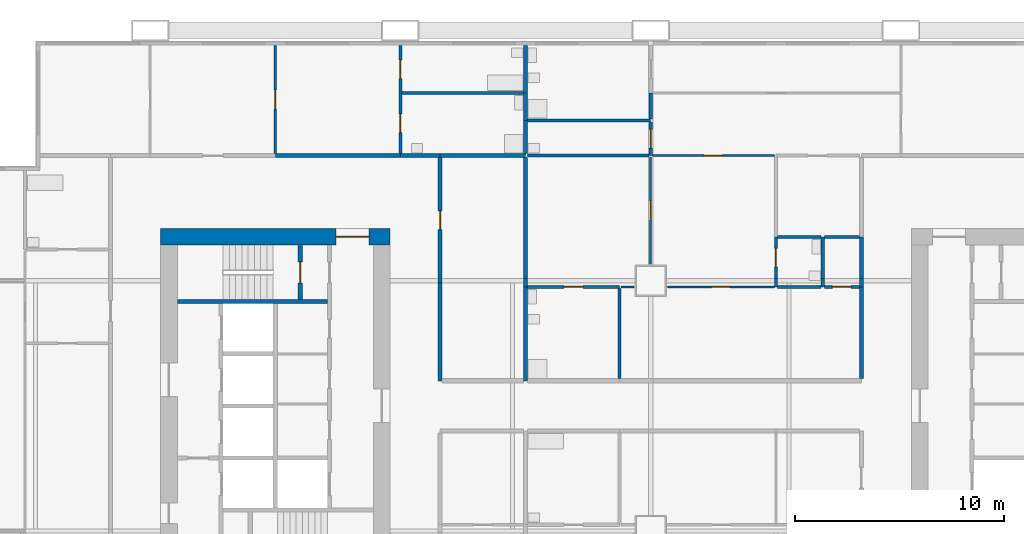
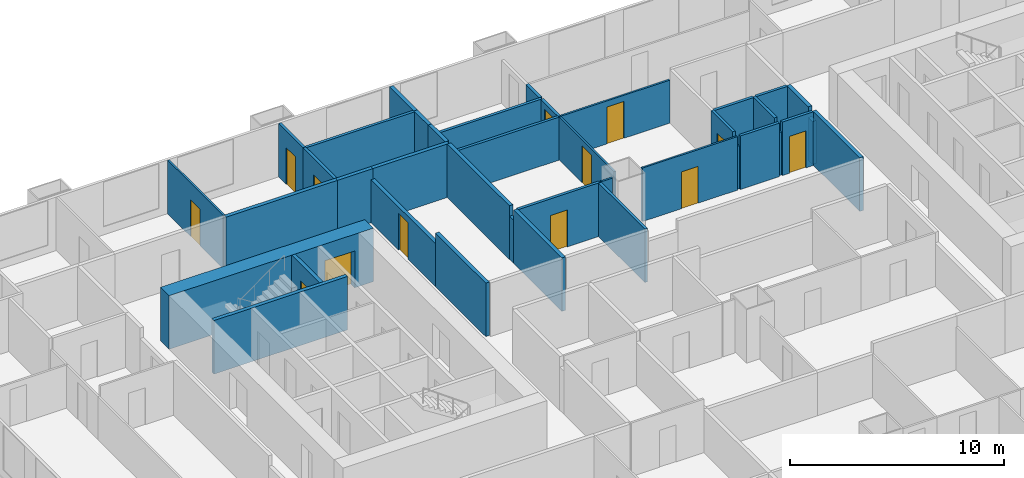
# One storey, part 8 of 13: 39 walls, 13 doors, 13 openings.
"""IFC4 building model written with IfcOpenShell, lengths in metres."""

from ifc_helpers import new_model, si_unit, direction, frame, frame_2d, origin, place, context, subcontext, project, spatial, rectangle, extrude, material, layer, layer_set, type_object, element, fill, save


model = new_model("IFC4")

# Units and contexts
model_context = context("Model", 3, precision=1e-05, world=origin(), true_north=direction((0.0, 1.0)))
body_context = subcontext(model_context, "Body", "Model", "MODEL_VIEW")
ifc_project = project(units=[si_unit("LENGTHUNIT", "METRE"), si_unit("AREAUNIT", "SQUARE_METRE"), si_unit("VOLUMEUNIT", "CUBIC_METRE"), si_unit("PLANEANGLEUNIT", "RADIAN"), si_unit("MASSUNIT", "GRAM", prefix="KILO")], contexts=[model_context])

# Site, building, storey
site_placement = place(None, origin())
site = spatial("IfcSite", under=ifc_project, at=site_placement, CompositionType="ELEMENT")
building_placement = place(site_placement, origin())
building = spatial("IfcBuilding", under=site, at=building_placement, Name="Kitamizu Gate Tower and Museum", CompositionType="ELEMENT")
storey_placement = place(building_placement, frame((0.0, 0.0, 47.25)))
storey = spatial("IfcBuildingStorey", under=building, at=storey_placement, Name="L10", CompositionType="ELEMENT", Elevation=47.25)

# Wall, opening, door
ifc_material_1 = material(Name="Concrete Fc60", Category="concrete")
ifc_layer_1 = layer(ifc_material_1, 0.800048828125)
ifc_layer_set_1 = layer_set([ifc_layer_1], Name="Concrete Fc60")
wall_type_1 = type_object("IfcWallType", Name="Core wall 800", PredefinedType="SHEAR", material=ifc_layer_set_1)
wall_1_placement = place(storey_placement, frame((12.5, 38.10009765625, 0.0), z_axis=(0.0, 0.0, 1.0), x_axis=(1.0, 0.0, 0.0)))
wall_1 = element("IfcWall", 1, at=wall_1_placement, inside=storey, type_object=wall_type_1, Name="Core wall WN", PredefinedType="SHEAR", context=body_context, shape_type="SweptSolid", body=[
    extrude(rectangle(XDim=11.0, YDim=0.800048828125, at=frame_2d((5.5, 0.0))), origin(), (0.0, 0.0, 1.0), 3.050048828125),
])
opening_1_placement = place(wall_1_placement, frame((8.39990234375, 0.0, 0.0)))
opening_1 = element("IfcOpeningElement", 2, at=opening_1_placement, cuts=wall_1, Name="Opening L10-086", PredefinedType="OPENING", context=body_context, shape_type="SweptSolid", body=[
    extrude(rectangle(XDim=1.60009765625, YDim=2.10009765625, at=frame_2d((0.800048828125, 1.050048828125))), frame((0.0, 0.41015625, 0.0), z_axis=(0.0, -1.0, 0.0), x_axis=(1.0, 0.0, 0.0)), (0.0, 0.0, 1.0), 0.820068359375),
])
ifc_material_2 = material(Name="Timber door set", Category="wood")
door_type_1 = type_object("IfcDoorType", Name="Entrance door 1600", OperationType="DOUBLE_DOOR_SINGLE_SWING", PredefinedType="DOOR", material=ifc_material_2)
door_1_placement = place(opening_1_placement, origin())
door_1 = element("IfcDoor", 3, at=door_1_placement, inside=storey, type_object=door_type_1, Name="Lobby door L10-086", OperationType="DOUBLE_DOOR_SINGLE_SWING", OverallHeight=2.10009765625, OverallWidth=1.60009765625, PredefinedType="DOOR", context=body_context, shape_type="SweptSolid", body=[
    extrude(rectangle(XDim=1.60009765625, YDim=2.10009765625, at=frame_2d((0.800048828125, 1.050048828125))), frame((0.0, 0.02490234375, 0.0), z_axis=(0.0, -1.0, 0.0), x_axis=(1.0, 0.0, 0.0)), (0.0, 0.0, 1.0), 0.050048828125),
])
fill(opening_1, door_1)

ifc_material_3 = material(Name="Gypsum board on galvanised stud")
ifc_layer_2 = layer(ifc_material_3, 0.10009765625)
ifc_layer_set_2 = layer_set([ifc_layer_2], Name="Gypsum board on galvanised stud")
wall_type_2 = type_object("IfcWallType", Name="Partition 100 NOT RATED", PredefinedType="PARTITIONING", material=ifc_layer_set_2)
wall_2_placement = place(storey_placement, frame((18.0, 42.10009765625, 0.0), z_axis=(0.0, 0.0, 1.0), x_axis=(0.0, 1.0, 0.0)))
wall_2 = element("IfcWall", 4, at=wall_2_placement, inside=storey, type_object=wall_type_2, Name="Partition L10-117", PredefinedType="PARTITIONING", context=body_context, shape_type="SweptSolid", body=[
    extrude(rectangle(XDim=5.179931640625, YDim=0.10009765625, at=frame_2d((2.58984375, 0.0))), origin(), (0.0, 0.0, 1.0), 3.050048828125),
])
opening_2_placement = place(wall_2_placement, frame((2.139892578125, 0.0, 0.0)))
opening_2 = element("IfcOpeningElement", 5, at=opening_2_placement, cuts=wall_2, Name="Opening L10-044", PredefinedType="OPENING", context=body_context, shape_type="SweptSolid", body=[
    extrude(rectangle(XDim=0.89990234375, YDim=2.10009765625, at=frame_2d((0.449951171875, 1.050048828125))), frame((0.0, 0.06005859375, 0.0), z_axis=(0.0, -1.0, 0.0), x_axis=(1.0, 0.0, 0.0)), (0.0, 0.0, 1.0), 0.1201171875),
])
ifc_material_4 = material(Name="Timber door set", Category="wood")
door_type_2 = type_object("IfcDoorType", Name="Room door 900", OperationType="NOTDEFINED", PredefinedType="DOOR", material=ifc_material_4)
door_2_placement = place(opening_2_placement, frame((0.89990234375, 0.0, 0.0), x_axis=(-1.0, 0.0, 0.0)))
door_2 = element("IfcDoor", 6, at=door_2_placement, inside=storey, type_object=door_type_2, Name="Door L10-044", OperationType="SINGLE_SWING_LEFT", OverallHeight=2.10009765625, OverallWidth=0.89990234375, PredefinedType="DOOR", context=body_context, shape_type="SweptSolid", body=[
    extrude(rectangle(XDim=0.89990234375, YDim=2.10009765625, at=frame_2d((0.449951171875, 1.050048828125))), frame((0.0, 0.02490234375, 0.0), z_axis=(0.0, -1.0, 0.0), x_axis=(1.0, 0.0, 0.0)), (0.0, 0.0, 1.0), 0.050048828125),
])
fill(opening_2, door_2)

wall_3_placement = place(storey_placement, frame((36.074951171875, 42.0, 0.0), z_axis=(0.0, 0.0, 1.0), x_axis=(1.0, 0.0, 0.0)))
wall_3 = element("IfcWall", 7, at=wall_3_placement, inside=storey, type_object=wall_type_2, Name="Partition L10-160", PredefinedType="PARTITIONING", context=body_context, shape_type="SweptSolid", body=[
    extrude(rectangle(XDim=5.85009765625, YDim=0.10009765625, at=frame_2d((2.925048828125, 0.0))), origin(), (0.0, 0.0, 1.0), 2.449951171875),
])
opening_3_placement = place(wall_3_placement, frame((2.47509765625, 0.0, 0.0)))
opening_3 = element("IfcOpeningElement", 8, at=opening_3_placement, cuts=wall_3, Name="Opening L10-060", PredefinedType="OPENING", context=body_context, shape_type="SweptSolid", body=[
    extrude(rectangle(XDim=0.89990234375, YDim=2.10009765625, at=frame_2d((0.449951171875, 1.050048828125))), frame((0.0, 0.06005859375, 0.0), z_axis=(0.0, -1.0, 0.0), x_axis=(1.0, 0.0, 0.0)), (0.0, 0.0, 1.0), 0.1201171875),
])
door_3_placement = place(opening_3_placement, origin())
door_3 = element("IfcDoor", 9, at=door_3_placement, inside=storey, type_object=door_type_2, Name="Door L10-060", OperationType="SINGLE_SWING_LEFT", OverallHeight=2.10009765625, OverallWidth=0.89990234375, PredefinedType="DOOR", context=body_context, shape_type="SweptSolid", body=[
    extrude(rectangle(XDim=0.89990234375, YDim=2.10009765625, at=frame_2d((0.449951171875, 1.050048828125))), frame((0.0, 0.02490234375, 0.0), z_axis=(0.0, -1.0, 0.0), x_axis=(1.0, 0.0, 0.0)), (0.0, 0.0, 1.0), 0.050048828125),
])
fill(opening_3, door_3)

wall_4_placement = place(storey_placement, frame((36.0, 36.800048828125, 0.0), z_axis=(0.0, 0.0, 1.0), x_axis=(0.0, 1.0, 0.0)))
wall_4 = element("IfcWall", 10, at=wall_4_placement, inside=storey, type_object=wall_type_2, Name="Partition L10-170", PredefinedType="PARTITIONING", context=body_context, shape_type="SweptSolid", body=[
    extrude(rectangle(XDim=5.125, YDim=0.10009765625, at=frame_2d((2.5625, 0.0))), origin(), (0.0, 0.0, 1.0), 2.449951171875),
])
opening_4_placement = place(wall_4_placement, frame((2.112548828125, 0.0, 0.0)))
opening_4 = element("IfcOpeningElement", 11, at=opening_4_placement, cuts=wall_4, Name="Opening L10-066", PredefinedType="OPENING", context=body_context, shape_type="SweptSolid", body=[
    extrude(rectangle(XDim=0.89990234375, YDim=2.10009765625, at=frame_2d((0.449951171875, 1.050048828125))), frame((0.0, 0.06005859375, 0.0), z_axis=(0.0, -1.0, 0.0), x_axis=(1.0, 0.0, 0.0)), (0.0, 0.0, 1.0), 0.1201171875),
])
door_4_placement = place(opening_4_placement, origin())
door_4 = element("IfcDoor", 12, at=door_4_placement, inside=storey, type_object=door_type_2, Name="Door L10-066", OperationType="SINGLE_SWING_LEFT", OverallHeight=2.10009765625, OverallWidth=0.89990234375, PredefinedType="DOOR", context=body_context, shape_type="SweptSolid", body=[
    extrude(rectangle(XDim=0.89990234375, YDim=2.10009765625, at=frame_2d((0.449951171875, 1.050048828125))), frame((0.0, 0.02490234375, 0.0), z_axis=(0.0, -1.0, 0.0), x_axis=(1.0, 0.0, 0.0)), (0.0, 0.0, 1.0), 0.050048828125),
])
fill(opening_4, door_4)

# Wall
wall_5_placement = place(storey_placement, frame((34.574951171875, 35.699951171875, 0.0), z_axis=(0.0, 0.0, 1.0), x_axis=(1.0, 0.0, 0.0)))
element("IfcWall", 13, at=wall_5_placement, inside=storey, type_object=wall_type_2, Name="Partition L10-172", PredefinedType="PARTITIONING", context=body_context, shape_type="SweptSolid", body=[
    extrude(rectangle(XDim=0.625, YDim=0.10009765625, at=frame_2d((0.3125, 0.0))), origin(), (0.0, 0.0, 1.0), 3.050048828125),
])

# Wall, opening, door
wall_6_placement = place(storey_placement, frame((36.800048828125, 35.699951171875, 0.0), z_axis=(0.0, 0.0, 1.0), x_axis=(1.0, 0.0, 0.0)))
wall_6 = element("IfcWall", 14, at=wall_6_placement, inside=storey, type_object=wall_type_2, Name="Partition L10-176", PredefinedType="PARTITIONING", context=body_context, shape_type="SweptSolid", body=[
    extrude(rectangle(XDim=5.125, YDim=0.10009765625, at=frame_2d((2.5625, 0.0))), origin(), (0.0, 0.0, 1.0), 3.050048828125),
])
opening_5_placement = place(wall_6_placement, frame((2.112548828125, 0.0, 0.0)))
opening_5 = element("IfcOpeningElement", 15, at=opening_5_placement, cuts=wall_6, Name="Opening L10-063", PredefinedType="OPENING", context=body_context, shape_type="SweptSolid", body=[
    extrude(rectangle(XDim=0.89990234375, YDim=2.10009765625, at=frame_2d((0.449951171875, 1.050048828125))), frame((0.0, 0.06005859375, 0.0), z_axis=(0.0, -1.0, 0.0), x_axis=(1.0, 0.0, 0.0)), (0.0, 0.0, 1.0), 0.1201171875),
])
door_5_placement = place(opening_5_placement, origin())
door_5 = element("IfcDoor", 16, at=door_5_placement, inside=storey, type_object=door_type_2, Name="Door L10-063", OperationType="SINGLE_SWING_LEFT", OverallHeight=2.10009765625, OverallWidth=0.89990234375, PredefinedType="DOOR", context=body_context, shape_type="SweptSolid", body=[
    extrude(rectangle(XDim=0.89990234375, YDim=2.10009765625, at=frame_2d((0.449951171875, 1.050048828125))), frame((0.0, 0.02490234375, 0.0), z_axis=(0.0, -1.0, 0.0), x_axis=(1.0, 0.0, 0.0)), (0.0, 0.0, 1.0), 0.050048828125),
])
fill(opening_5, door_5)

ifc_material_5 = material(Name="Gypsum board on galvanised stud")
ifc_layer_3 = layer(ifc_material_5, 0.14990234375)
ifc_layer_set_3 = layer_set([ifc_layer_3], Name="Gypsum board on galvanised stud")
wall_type_3 = type_object("IfcWallType", Name="Partition 150", PredefinedType="PARTITIONING", material=ifc_layer_set_3)
wall_7_placement = place(storey_placement, frame((24.0, 42.10009765625, 0.0), z_axis=(0.0, 0.0, 1.0), x_axis=(0.0, 1.0, 0.0)))
wall_7 = element("IfcWall", 17, at=wall_7_placement, inside=storey, type_object=wall_type_3, Name="Partition L10-119", PredefinedType="PARTITIONING", context=body_context, shape_type="SweptSolid", body=[
    extrude(rectangle(XDim=2.89990234375, YDim=0.14990234375, at=frame_2d((1.449951171875, 0.0))), origin(), (0.0, 0.0, 1.0), 3.050048828125),
])
opening_6_placement = place(wall_7_placement, frame((1.0, 0.0, 0.0)))
opening_6 = element("IfcOpeningElement", 18, at=opening_6_placement, cuts=wall_7, Name="Opening L10-045", PredefinedType="OPENING", context=body_context, shape_type="SweptSolid", body=[
    extrude(rectangle(XDim=0.89990234375, YDim=2.10009765625, at=frame_2d((0.449951171875, 1.050048828125))), frame((0.0, 0.0849609375, 0.0), z_axis=(0.0, -1.0, 0.0), x_axis=(1.0, 0.0, 0.0)), (0.0, 0.0, 1.0), 0.169921875),
])
ifc_material_6 = material(Name="Timber door set", Category="wood")
door_type_3 = type_object("IfcDoorType", Name="Bathroom door 900", OperationType="NOTDEFINED", PredefinedType="DOOR", material=ifc_material_6)
door_6_placement = place(opening_6_placement, frame((0.89990234375, 0.0, 0.0), x_axis=(-1.0, 0.0, 0.0)))
door_6 = element("IfcDoor", 19, at=door_6_placement, inside=storey, type_object=door_type_3, Name="Bathroom door L10-045", OperationType="SINGLE_SWING_RIGHT", OverallHeight=2.10009765625, OverallWidth=0.89990234375, PredefinedType="DOOR", context=body_context, shape_type="SweptSolid", body=[
    extrude(rectangle(XDim=0.89990234375, YDim=2.10009765625, at=frame_2d((0.449951171875, 1.050048828125))), frame((0.0, 0.02490234375, 0.0), z_axis=(0.0, -1.0, 0.0), x_axis=(1.0, 0.0, 0.0)), (0.0, 0.0, 1.0), 0.050048828125),
])
fill(opening_6, door_6)

wall_8_placement = place(storey_placement, frame((24.0, 45.0, 0.0), z_axis=(0.0, 0.0, 1.0), x_axis=(0.0, 1.0, 0.0)))
wall_8 = element("IfcWall", 20, at=wall_8_placement, inside=storey, type_object=wall_type_3, Name="Partition L10-120", PredefinedType="PARTITIONING", context=body_context, shape_type="SweptSolid", body=[
    extrude(rectangle(XDim=2.280029296875, YDim=0.14990234375, at=frame_2d((1.14013671875, 0.0))), origin(), (0.0, 0.0, 1.0), 3.050048828125),
])
opening_7_placement = place(wall_8_placement, frame((0.68994140625, 0.0, 0.0)))
opening_7 = element("IfcOpeningElement", 21, at=opening_7_placement, cuts=wall_8, Name="Opening L10-046", PredefinedType="OPENING", context=body_context, shape_type="SweptSolid", body=[
    extrude(rectangle(XDim=0.89990234375, YDim=2.10009765625, at=frame_2d((0.449951171875, 1.050048828125))), frame((0.0, 0.0849609375, 0.0), z_axis=(0.0, -1.0, 0.0), x_axis=(1.0, 0.0, 0.0)), (0.0, 0.0, 1.0), 0.169921875),
])
door_7_placement = place(opening_7_placement, frame((0.89990234375, 0.0, 0.0), x_axis=(-1.0, 0.0, 0.0)))
door_7 = element("IfcDoor", 22, at=door_7_placement, inside=storey, type_object=door_type_3, Name="Bathroom door L10-046", OperationType="SINGLE_SWING_LEFT", OverallHeight=2.10009765625, OverallWidth=0.89990234375, PredefinedType="DOOR", context=body_context, shape_type="SweptSolid", body=[
    extrude(rectangle(XDim=0.89990234375, YDim=2.10009765625, at=frame_2d((0.449951171875, 1.050048828125))), frame((0.0, 0.02490234375, 0.0), z_axis=(0.0, -1.0, 0.0), x_axis=(1.0, 0.0, 0.0)), (0.0, 0.0, 1.0), 0.050048828125),
])
fill(opening_7, door_7)

# Walls
wall_9_placement = place(storey_placement, frame((29.89990234375, 45.0, 0.0), z_axis=(0.0, 0.0, 1.0), x_axis=(-1.0, 0.0, 0.0)))
element("IfcWall", 23, at=wall_9_placement, inside=storey, type_object=wall_type_3, Name="Partition L10-122", PredefinedType="PARTITIONING", context=body_context, shape_type="SweptSolid", body=[
    extrude(rectangle(XDim=5.824951171875, YDim=0.14990234375, at=frame_2d((2.91259765625, 0.0))), origin(), (0.0, 0.0, 1.0), 3.050048828125),
])
wall_10_placement = place(storey_placement, frame((30.10009765625, 43.679931640625, 0.0), z_axis=(0.0, 0.0, 1.0), x_axis=(1.0, 0.0, 0.0)))
element("IfcWall", 24, at=wall_10_placement, inside=storey, type_object=wall_type_3, Name="Partition L10-153", PredefinedType="PARTITIONING", context=body_context, shape_type="SweptSolid", body=[
    extrude(rectangle(XDim=5.89990234375, YDim=0.14990234375, at=frame_2d((2.949951171875, 0.0))), origin(), (0.0, 0.0, 1.0), 2.449951171875),
])
wall_11_placement = place(storey_placement, frame((36.0, 43.7548828125, 0.0), z_axis=(0.0, 0.0, 1.0), x_axis=(0.0, 1.0, 0.0)))
element("IfcWall", 25, at=wall_11_placement, inside=storey, type_object=wall_type_3, Name="Partition L10-154", PredefinedType="PARTITIONING", context=body_context, shape_type="SweptSolid", body=[
    extrude(rectangle(XDim=1.2451171875, YDim=0.14990234375, at=frame_2d((0.62255859375, 0.0))), origin(), (0.0, 0.0, 1.0), 2.449951171875),
])

# Wall, opening, door
wall_12_placement = place(storey_placement, frame((36.0, 42.0, 0.0), z_axis=(0.0, 0.0, 1.0), x_axis=(0.0, 1.0, 0.0)))
wall_12 = element("IfcWall", 26, at=wall_12_placement, inside=storey, type_object=wall_type_3, Name="Partition L10-156", PredefinedType="PARTITIONING", context=body_context, shape_type="SweptSolid", body=[
    extrude(rectangle(XDim=1.60498046875, YDim=0.14990234375, at=frame_2d((0.802490234375, 0.0))), origin(), (0.0, 0.0, 1.0), 2.449951171875),
])
opening_8_placement = place(wall_12_placement, frame((0.3525390625, 0.0, 0.0)))
opening_8 = element("IfcOpeningElement", 27, at=opening_8_placement, cuts=wall_12, Name="Opening L10-065", PredefinedType="OPENING", context=body_context, shape_type="SweptSolid", body=[
    extrude(rectangle(XDim=0.89990234375, YDim=2.10009765625, at=frame_2d((0.449951171875, 1.050048828125))), frame((0.0, 0.0849609375, 0.0), z_axis=(0.0, -1.0, 0.0), x_axis=(1.0, 0.0, 0.0)), (0.0, 0.0, 1.0), 0.169921875),
])
door_8_placement = place(opening_8_placement, origin())
door_8 = element("IfcDoor", 28, at=door_8_placement, inside=storey, type_object=door_type_3, Name="Bathroom door L10-065", OperationType="SINGLE_SWING_RIGHT", OverallHeight=2.10009765625, OverallWidth=0.89990234375, PredefinedType="DOOR", context=body_context, shape_type="SweptSolid", body=[
    extrude(rectangle(XDim=0.89990234375, YDim=2.10009765625, at=frame_2d((0.449951171875, 1.050048828125))), frame((0.0, 0.02490234375, 0.0), z_axis=(0.0, -1.0, 0.0), x_axis=(1.0, 0.0, 0.0)), (0.0, 0.0, 1.0), 0.050048828125),
])
fill(opening_8, door_8)

# Wall
wall_13_placement = place(storey_placement, frame((30.10009765625, 42.0, 0.0), z_axis=(0.0, 0.0, 1.0), x_axis=(1.0, 0.0, 0.0)))
element("IfcWall", 29, at=wall_13_placement, inside=storey, type_object=wall_type_3, Name="Partition L10-157", PredefinedType="PARTITIONING", context=body_context, shape_type="SweptSolid", body=[
    extrude(rectangle(XDim=5.824951171875, YDim=0.14990234375, at=frame_2d((2.91259765625, 0.0))), origin(), (0.0, 0.0, 1.0), 2.449951171875),
])

# Wall, opening, door
wall_14_placement = place(storey_placement, frame((30.10009765625, 35.699951171875, 0.0), z_axis=(0.0, 0.0, 1.0), x_axis=(1.0, 0.0, 0.0)))
wall_14 = element("IfcWall", 30, at=wall_14_placement, inside=storey, type_object=wall_type_3, Name="Partition L10-171", PredefinedType="PARTITIONING", context=body_context, shape_type="SweptSolid", body=[
    extrude(rectangle(XDim=4.39990234375, YDim=0.14990234375, at=frame_2d((2.199951171875, 0.0))), origin(), (0.0, 0.0, 1.0), 3.050048828125),
])
opening_9_placement = place(wall_14_placement, frame((1.75, 0.0, 0.0)))
opening_9 = element("IfcOpeningElement", 31, at=opening_9_placement, cuts=wall_14, Name="Opening L10-068", PredefinedType="OPENING", context=body_context, shape_type="SweptSolid", body=[
    extrude(rectangle(XDim=0.89990234375, YDim=2.10009765625, at=frame_2d((0.449951171875, 1.050048828125))), frame((0.0, 0.0849609375, 0.0), z_axis=(0.0, -1.0, 0.0), x_axis=(1.0, 0.0, 0.0)), (0.0, 0.0, 1.0), 0.169921875),
])
door_9_placement = place(opening_9_placement, frame((0.89990234375, 0.0, 0.0), x_axis=(-1.0, 0.0, 0.0)))
door_9 = element("IfcDoor", 32, at=door_9_placement, inside=storey, type_object=door_type_3, Name="Bathroom door L10-068", OperationType="SINGLE_SWING_RIGHT", OverallHeight=2.10009765625, OverallWidth=0.89990234375, PredefinedType="DOOR", context=body_context, shape_type="SweptSolid", body=[
    extrude(rectangle(XDim=0.89990234375, YDim=2.10009765625, at=frame_2d((0.449951171875, 1.050048828125))), frame((0.0, 0.02490234375, 0.0), z_axis=(0.0, -1.0, 0.0), x_axis=(1.0, 0.0, 0.0)), (0.0, 0.0, 1.0), 0.050048828125),
])
fill(opening_9, door_9)

# Wall
wall_15_placement = place(storey_placement, frame((42.0, 35.699951171875, 0.0), z_axis=(0.0, 0.0, 1.0), x_axis=(0.0, 1.0, 0.0)))
element("IfcWall", 33, at=wall_15_placement, inside=storey, type_object=wall_type_3, Name="Partition L10-173", PredefinedType="PARTITIONING", context=body_context, shape_type="SweptSolid", body=[
    extrude(rectangle(XDim=0.400146484375, YDim=0.14990234375, at=frame_2d((0.2001953125, 0.0))), origin(), (0.0, 0.0, 1.0), 2.449951171875),
])

# Wall, opening, door
wall_16_placement = place(storey_placement, frame((42.0, 36.10009765625, 0.0), z_axis=(0.0, 0.0, 1.0), x_axis=(0.0, 1.0, 0.0)))
wall_16 = element("IfcWall", 34, at=wall_16_placement, inside=storey, type_object=wall_type_3, Name="Partition L10-174", PredefinedType="PARTITIONING", context=body_context, shape_type="SweptSolid", body=[
    extrude(rectangle(XDim=2.0, YDim=0.14990234375, at=frame_2d((1.0, 0.0))), origin(), (0.0, 0.0, 1.0), 3.050048828125),
])
opening_10_placement = place(wall_16_placement, frame((0.550048828125, 0.0, 0.0)))
opening_10 = element("IfcOpeningElement", 35, at=opening_10_placement, cuts=wall_16, Name="Opening L10-061", PredefinedType="OPENING", context=body_context, shape_type="SweptSolid", body=[
    extrude(rectangle(XDim=0.89990234375, YDim=2.10009765625, at=frame_2d((0.449951171875, 1.050048828125))), frame((0.0, 0.0849609375, 0.0), z_axis=(0.0, -1.0, 0.0), x_axis=(1.0, 0.0, 0.0)), (0.0, 0.0, 1.0), 0.169921875),
])
door_10_placement = place(opening_10_placement, frame((0.89990234375, 0.0, 0.0), x_axis=(-1.0, 0.0, 0.0)))
door_10 = element("IfcDoor", 36, at=door_10_placement, inside=storey, type_object=door_type_3, Name="Bathroom door L10-061", OperationType="SINGLE_SWING_RIGHT", OverallHeight=2.10009765625, OverallWidth=0.89990234375, PredefinedType="DOOR", context=body_context, shape_type="SweptSolid", body=[
    extrude(rectangle(XDim=0.89990234375, YDim=2.10009765625, at=frame_2d((0.449951171875, 1.050048828125))), frame((0.0, 0.02490234375, 0.0), z_axis=(0.0, -1.0, 0.0), x_axis=(1.0, 0.0, 0.0)), (0.0, 0.0, 1.0), 0.050048828125),
])
fill(opening_10, door_10)

# Walls
wall_17_placement = place(storey_placement, frame((44.25, 35.699951171875, 0.0), z_axis=(0.0, 0.0, 1.0), x_axis=(0.0, 1.0, 0.0)))
element("IfcWall", 37, at=wall_17_placement, inside=storey, type_object=wall_type_3, Name="Partition L10-177", PredefinedType="PARTITIONING", context=body_context, shape_type="SweptSolid", body=[
    extrude(rectangle(XDim=0.400146484375, YDim=0.14990234375, at=frame_2d((0.2001953125, 0.0))), origin(), (0.0, 0.0, 1.0), 2.449951171875),
])
wall_18_placement = place(storey_placement, frame((44.25, 36.10009765625, 0.0), z_axis=(0.0, 0.0, 1.0), x_axis=(0.0, 1.0, 0.0)))
element("IfcWall", 38, at=wall_18_placement, inside=storey, type_object=wall_type_3, Name="Partition L10-178", PredefinedType="PARTITIONING", context=body_context, shape_type="SweptSolid", body=[
    extrude(rectangle(XDim=2.0, YDim=0.14990234375, at=frame_2d((1.0, 0.0))), origin(), (0.0, 0.0, 1.0), 3.050048828125),
])
for number, where, z_axis, x_axis, name in (
    (39, (44.175048828125, 38.10009765625, 0.0), (0.0, 0.0, 1.0), (-1.0, 0.0, 0.0), "Partition L10-179"),
    (40, (42.074951171875, 35.699951171875, 0.0), (0.0, 0.0, 1.0), (1.0, 0.0, 0.0), "Partition L10-180"),
):
    element("IfcWall", number, at=place(storey_placement, frame(where, z_axis=z_axis, x_axis=x_axis)), inside=storey, type_object=wall_type_3, Name=name, PredefinedType="PARTITIONING", context=body_context, shape_type="SweptSolid", body=[
        extrude(rectangle(XDim=2.10009765625, YDim=0.14990234375, at=frame_2d((1.050048828125, 0.0))), origin(), (0.0, 0.0, 1.0), 3.050048828125),
    ])
wall_19_placement = place(storey_placement, frame((46.0, 38.10009765625, 0.0), z_axis=(0.0, 0.0, 1.0), x_axis=(-1.0, 0.0, 0.0)))
element("IfcWall", 41, at=wall_19_placement, inside=storey, type_object=wall_type_3, Name="Partition L10-181", PredefinedType="PARTITIONING", context=body_context, shape_type="SweptSolid", body=[
    extrude(rectangle(XDim=1.675048828125, YDim=0.14990234375, at=frame_2d((0.83740234375, 0.0))), origin(), (0.0, 0.0, 1.0), 3.050048828125),
])

# Wall, opening, door
wall_20_placement = place(storey_placement, frame((44.324951171875, 35.699951171875, 0.0), z_axis=(0.0, 0.0, 1.0), x_axis=(1.0, 0.0, 0.0)))
wall_20 = element("IfcWall", 42, at=wall_20_placement, inside=storey, type_object=wall_type_3, Name="Partition L10-182", PredefinedType="PARTITIONING", context=body_context, shape_type="SweptSolid", body=[
    extrude(rectangle(XDim=1.675048828125, YDim=0.14990234375, at=frame_2d((0.83740234375, 0.0))), origin(), (0.0, 0.0, 1.0), 3.050048828125),
])
opening_11_placement = place(wall_20_placement, frame((0.387451171875, 0.0, 0.0)))
opening_11 = element("IfcOpeningElement", 43, at=opening_11_placement, cuts=wall_20, Name="Opening L10-067", PredefinedType="OPENING", context=body_context, shape_type="SweptSolid", body=[
    extrude(rectangle(XDim=0.89990234375, YDim=2.10009765625, at=frame_2d((0.449951171875, 1.050048828125))), frame((0.0, 0.0849609375, 0.0), z_axis=(0.0, -1.0, 0.0), x_axis=(1.0, 0.0, 0.0)), (0.0, 0.0, 1.0), 0.169921875),
])
door_11_placement = place(opening_11_placement, origin())
door_11 = element("IfcDoor", 44, at=door_11_placement, inside=storey, type_object=door_type_3, Name="Bathroom door L10-067", OperationType="SINGLE_SWING_RIGHT", OverallHeight=2.10009765625, OverallWidth=0.89990234375, PredefinedType="DOOR", context=body_context, shape_type="SweptSolid", body=[
    extrude(rectangle(XDim=0.89990234375, YDim=2.10009765625, at=frame_2d((0.449951171875, 1.050048828125))), frame((0.0, 0.02490234375, 0.0), z_axis=(0.0, -1.0, 0.0), x_axis=(1.0, 0.0, 0.0)), (0.0, 0.0, 1.0), 0.050048828125),
])
fill(opening_11, door_11)

# Walls
wall_21_placement = place(storey_placement, frame((34.5, 31.300048828125, 0.0), z_axis=(0.0, 0.0, 1.0), x_axis=(0.0, 1.0, 0.0)))
element("IfcWall", 45, at=wall_21_placement, inside=storey, type_object=wall_type_3, Name="Partition L10-186", PredefinedType="PARTITIONING", context=body_context, shape_type="SweptSolid", body=[
    extrude(rectangle(XDim=4.324951171875, YDim=0.14990234375, at=frame_2d((2.16259765625, 0.0))), origin(), (0.0, 0.0, 1.0), 3.050048828125),
])
ifc_material_7 = material(Name="Gypsum board on galvanised stud")
ifc_layer_4 = layer(ifc_material_7, 0.199951171875)
ifc_layer_set_4 = layer_set([ifc_layer_4], Name="Gypsum board on galvanised stud")
wall_type_4 = type_object("IfcWallType", Name="Partition 200", PredefinedType="PARTITIONING", material=ifc_layer_set_4)
wall_22_placement = place(storey_placement, frame((18.0, 42.0, 0.0), z_axis=(0.0, 0.0, 1.0), x_axis=(1.0, 0.0, 0.0)))
element("IfcWall", 46, at=wall_22_placement, inside=storey, type_object=wall_type_4, Name="Partition L10-121", PredefinedType="PARTITIONING", context=body_context, shape_type="SweptSolid", body=[
    extrude(rectangle(XDim=6.0, YDim=0.199951171875, at=frame_2d((3.0, 0.0))), origin(), (0.0, 0.0, 1.0), 3.050048828125),
])
wall_23_placement = place(storey_placement, frame((25.89990234375, 42.0, 0.0), z_axis=(0.0, 0.0, 1.0), x_axis=(1.0, 0.0, 0.0)))
element("IfcWall", 47, at=wall_23_placement, inside=storey, type_object=wall_type_4, Name="Partition L10-123", PredefinedType="PARTITIONING", context=body_context, shape_type="SweptSolid", body=[
    extrude(rectangle(XDim=4.10009765625, YDim=0.199951171875, at=frame_2d((2.050048828125, 0.0))), origin(), (0.0, 0.0, 1.0), 3.050048828125),
])
wall_24_placement = place(storey_placement, frame((30.0, 43.679931640625, 0.0), z_axis=(0.0, 0.0, 1.0), x_axis=(0.0, 1.0, 0.0)))
element("IfcWall", 48, at=wall_24_placement, inside=storey, type_object=wall_type_4, Name="Partition L10-124", PredefinedType="PARTITIONING", context=body_context, shape_type="SweptSolid", body=[
    extrude(rectangle(XDim=1.320068359375, YDim=0.199951171875, at=frame_2d((0.66015625, 0.0))), origin(), (0.0, 0.0, 1.0), 3.050048828125),
])
wall_25_placement = place(storey_placement, frame((30.0, 42.10009765625, 0.0), z_axis=(0.0, 0.0, 1.0), x_axis=(0.0, 1.0, 0.0)))
element("IfcWall", 49, at=wall_25_placement, inside=storey, type_object=wall_type_4, Name="Partition L10-125", PredefinedType="PARTITIONING", context=body_context, shape_type="SweptSolid", body=[
    extrude(rectangle(XDim=1.579833984375, YDim=0.199951171875, at=frame_2d((0.7900390625, 0.0))), origin(), (0.0, 0.0, 1.0), 3.050048828125),
])
wall_26_placement = place(storey_placement, frame((24.0, 42.0, 0.0), z_axis=(0.0, 0.0, 1.0), x_axis=(1.0, 0.0, 0.0)))
element("IfcWall", 50, at=wall_26_placement, inside=storey, type_object=wall_type_4, Name="Partition L10-126", PredefinedType="PARTITIONING", context=body_context, shape_type="SweptSolid", body=[
    extrude(rectangle(XDim=1.89990234375, YDim=0.199951171875, at=frame_2d((0.949951171875, 0.0))), origin(), (0.0, 0.0, 1.0), 3.050048828125),
])
wall_27_placement = place(storey_placement, frame((30.0, 45.0, 0.0), z_axis=(0.0, 0.0, 1.0), x_axis=(0.0, 1.0, 0.0)))
element("IfcWall", 51, at=wall_27_placement, inside=storey, type_object=wall_type_4, Name="Partition L10-127", PredefinedType="PARTITIONING", context=body_context, shape_type="SweptSolid", body=[
    extrude(rectangle(XDim=2.280029296875, YDim=0.199951171875, at=frame_2d((1.14013671875, 0.0))), origin(), (0.0, 0.0, 1.0), 3.050048828125),
])
wall_28_placement = place(storey_placement, frame((30.0, 35.699951171875, 0.0), z_axis=(0.0, 0.0, 1.0), x_axis=(0.0, 1.0, 0.0)))
element("IfcWall", 52, at=wall_28_placement, inside=storey, type_object=wall_type_4, Name="Partition L10-128", PredefinedType="PARTITIONING", context=body_context, shape_type="SweptSolid", body=[
    extrude(rectangle(XDim=0.400146484375, YDim=0.199951171875, at=frame_2d((0.2001953125, 0.0))), origin(), (0.0, 0.0, 1.0), 2.449951171875),
])
wall_29_placement = place(storey_placement, frame((30.0, 36.10009765625, 0.0), z_axis=(0.0, 0.0, 1.0), x_axis=(0.0, 1.0, 0.0)))
element("IfcWall", 53, at=wall_29_placement, inside=storey, type_object=wall_type_4, Name="Partition L10-129", PredefinedType="PARTITIONING", context=body_context, shape_type="SweptSolid", body=[
    extrude(rectangle(XDim=5.7998046875, YDim=0.199951171875, at=frame_2d((2.89990234375, 0.0))), origin(), (0.0, 0.0, 1.0), 3.050048828125),
])
wall_30_placement = place(storey_placement, frame((30.0, 31.199951171875, 0.0), z_axis=(0.0, 0.0, 1.0), x_axis=(0.0, 1.0, 0.0)))
element("IfcWall", 54, at=wall_30_placement, inside=storey, type_object=wall_type_4, Name="Partition L10-130", PredefinedType="PARTITIONING", context=body_context, shape_type="SweptSolid", body=[
    extrude(rectangle(XDim=4.5, YDim=0.199951171875, at=frame_2d((2.25, 0.0))), origin(), (0.0, 0.0, 1.0), 3.050048828125),
])

# Wall, opening, door
wall_31_placement = place(storey_placement, frame((25.89990234375, 41.89990234375, 0.0), z_axis=(0.0, 0.0, 1.0), x_axis=(0.0, -1.0, 0.0)))
wall_31 = element("IfcWall", 55, at=wall_31_placement, inside=storey, type_object=wall_type_4, Name="Partition L10-131", PredefinedType="PARTITIONING", context=body_context, shape_type="SweptSolid", body=[
    extrude(rectangle(XDim=6.0, YDim=0.199951171875, at=frame_2d((3.0, 0.0))), origin(), (0.0, 0.0, 1.0), 2.449951171875),
])
opening_12_placement = place(wall_31_placement, frame((2.550048828125, 0.0, 0.0)))
opening_12 = element("IfcOpeningElement", 56, at=opening_12_placement, cuts=wall_31, Name="Opening L10-078", PredefinedType="OPENING", context=body_context, shape_type="SweptSolid", body=[
    extrude(rectangle(XDim=0.89990234375, YDim=2.10009765625, at=frame_2d((0.449951171875, 1.050048828125))), frame((0.0, 0.10986328125, 0.0), z_axis=(0.0, -1.0, 0.0), x_axis=(1.0, 0.0, 0.0)), (0.0, 0.0, 1.0), 0.219970703125),
])
door_12_placement = place(opening_12_placement, origin())
door_12 = element("IfcDoor", 57, at=door_12_placement, inside=storey, type_object=door_type_2, Name="Door L10-078", OperationType="SINGLE_SWING_LEFT", OverallHeight=2.10009765625, OverallWidth=0.89990234375, PredefinedType="DOOR", context=body_context, shape_type="SweptSolid", body=[
    extrude(rectangle(XDim=0.89990234375, YDim=2.10009765625, at=frame_2d((0.449951171875, 1.050048828125))), frame((0.0, 0.02490234375, 0.0), z_axis=(0.0, -1.0, 0.0), x_axis=(1.0, 0.0, 0.0)), (0.0, 0.0, 1.0), 0.050048828125),
])
fill(opening_12, door_12)

# Walls
wall_32_placement = place(storey_placement, frame((25.89990234375, 35.89990234375, 0.0), z_axis=(0.0, 0.0, 1.0), x_axis=(0.0, -1.0, 0.0)))
element("IfcWall", 58, at=wall_32_placement, inside=storey, type_object=wall_type_4, Name="Partition L10-132", PredefinedType="PARTITIONING", context=body_context, shape_type="SweptSolid", body=[
    extrude(rectangle(XDim=4.699951171875, YDim=0.199951171875, at=frame_2d((2.35009765625, 0.0))), origin(), (0.0, 0.0, 1.0), 3.050048828125),
])
wall_33_placement = place(storey_placement, frame((46.10009765625, 35.699951171875, 0.0), z_axis=(0.0, 0.0, 1.0), x_axis=(0.0, 1.0, 0.0)))
element("IfcWall", 59, at=wall_33_placement, inside=storey, type_object=wall_type_4, Name="Partition L10-183", PredefinedType="PARTITIONING", context=body_context, shape_type="SweptSolid", body=[
    extrude(rectangle(XDim=0.400146484375, YDim=0.199951171875, at=frame_2d((0.2001953125, 0.0))), origin(), (0.0, 0.0, 1.0), 2.449951171875),
])
wall_34_placement = place(storey_placement, frame((46.10009765625, 36.10009765625, 0.0), z_axis=(0.0, 0.0, 1.0), x_axis=(0.0, 1.0, 0.0)))
element("IfcWall", 60, at=wall_34_placement, inside=storey, type_object=wall_type_4, Name="Partition L10-184", PredefinedType="PARTITIONING", context=body_context, shape_type="SweptSolid", body=[
    extrude(rectangle(XDim=2.0, YDim=0.199951171875, at=frame_2d((1.0, 0.0))), origin(), (0.0, 0.0, 1.0), 3.050048828125),
])
wall_35_placement = place(storey_placement, frame((46.10009765625, 31.300048828125, 0.0), z_axis=(0.0, 0.0, 1.0), x_axis=(0.0, 1.0, 0.0)))
element("IfcWall", 61, at=wall_35_placement, inside=storey, type_object=wall_type_4, Name="Partition L10-190", PredefinedType="PARTITIONING", context=body_context, shape_type="SweptSolid", body=[
    extrude(rectangle(XDim=4.39990234375, YDim=0.199951171875, at=frame_2d((2.199951171875, 0.0))), origin(), (0.0, 0.0, 1.0), 3.050048828125),
])
ifc_material_8 = material(Name="Concrete Fc42", Category="concrete")
ifc_layer_5 = layer(ifc_material_8, 0.199951171875)
ifc_layer_set_5 = layer_set([ifc_layer_5], Name="Concrete Fc42")
wall_type_5 = type_object("IfcWallType", Name="Shaft wall 200", PredefinedType="SOLIDWALL", material=ifc_layer_set_5)
wall_36_placement = place(storey_placement, frame((13.300048828125, 35.0, 0.0), z_axis=(0.0, 0.0, 1.0), x_axis=(1.0, 0.0, 0.0)))
element("IfcWall", 62, at=wall_36_placement, inside=storey, type_object=wall_type_5, Name="Shaft wall WNB", PredefinedType="SOLIDWALL", context=body_context, shape_type="SweptSolid", body=[
    extrude(rectangle(XDim=7.199951171875, YDim=0.199951171875, at=frame_2d((3.60009765625, 0.0))), origin(), (0.0, 0.0, 1.0), 3.050048828125),
])

# Wall, opening, door
wall_37_placement = place(storey_placement, frame((19.199951171875, 35.10009765625, 0.0), z_axis=(0.0, 0.0, 1.0), x_axis=(0.0, 1.0, 0.0)))
wall_37 = element("IfcWall", 63, at=wall_37_placement, inside=storey, type_object=wall_type_5, Name="Shaft wall WNZ", PredefinedType="SOLIDWALL", context=body_context, shape_type="SweptSolid", body=[
    extrude(rectangle(XDim=2.599853515625, YDim=0.199951171875, at=frame_2d((1.2998046875, 0.0))), origin(), (0.0, 0.0, 1.0), 3.050048828125),
])
opening_13_placement = place(wall_37_placement, frame((0.800048828125, 0.0, 0.0)))
opening_13 = element("IfcOpeningElement", 64, at=opening_13_placement, cuts=wall_37, Name="Opening L10-082", PredefinedType="OPENING", context=body_context, shape_type="SweptSolid", body=[
    extrude(rectangle(XDim=1.0, YDim=2.10009765625, at=frame_2d((0.5, 1.050048828125))), frame((0.0, 0.10986328125, 0.0), z_axis=(0.0, -1.0, 0.0), x_axis=(1.0, 0.0, 0.0)), (0.0, 0.0, 1.0), 0.219970703125),
])
ifc_material_9 = material(Name="Hollow metal door set")
door_type_4 = type_object("IfcDoorType", Name="Fire door 1000", OperationType="NOTDEFINED", PredefinedType="DOOR", material=ifc_material_9)
door_13_placement = place(opening_13_placement, origin())
door_13 = element("IfcDoor", 65, at=door_13_placement, inside=storey, type_object=door_type_4, Name="Stair door L10-082", OperationType="SINGLE_SWING_LEFT", OverallHeight=2.10009765625, OverallWidth=1.0, PredefinedType="DOOR", context=body_context, shape_type="SweptSolid", body=[
    extrude(rectangle(XDim=1.0, YDim=2.10009765625, at=frame_2d((0.5, 1.050048828125))), frame((0.0, 0.02490234375, 0.0), z_axis=(0.0, -1.0, 0.0), x_axis=(1.0, 0.0, 0.0)), (0.0, 0.0, 1.0), 0.050048828125),
])
fill(opening_13, door_13)

save(model, "model.ifc")
